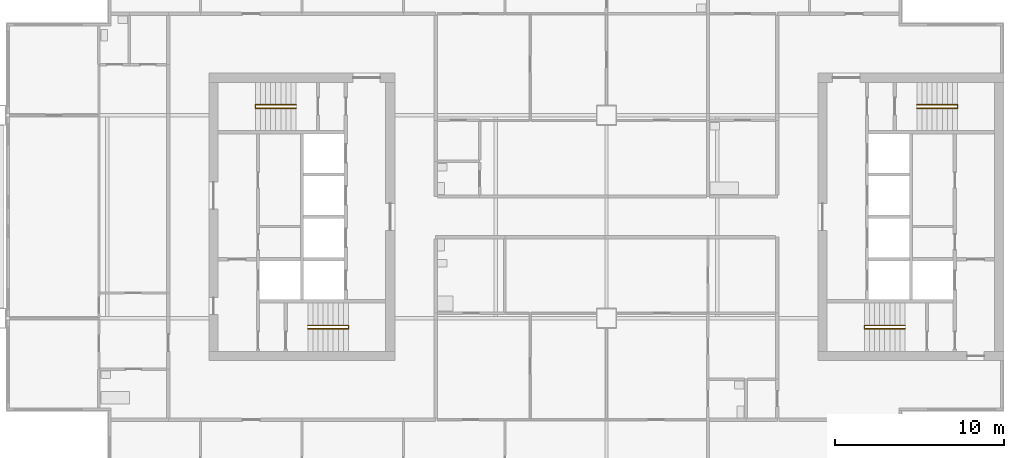
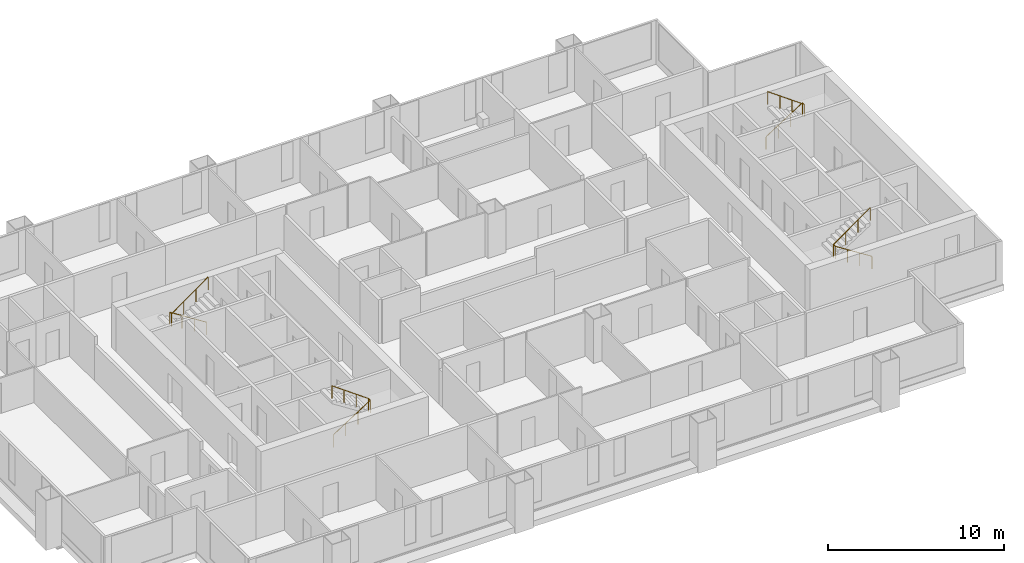
# One storey, part 9 of 10: 4 railings.
"""IFC4 building model written with IfcOpenShell, lengths in metres."""

import ifcopenshell
import ifcopenshell.guid

model = None  # the IFC model being written
_history = None  # IfcOwnerHistory: only IFC2X3 demands one
_inside = {}  # id of a spatial element -> (the spatial element, [elements in it])
_under = {}  # id of a project, library or spatial element -> (it, [spatial elements below it])
_declared = {}  # id of a project -> (the project, [libraries it declares])
_typed = {}  # id of a type object -> (the type object, [elements of that type])
_made_of = {}  # id of a material, layer set ... -> (it, [elements and type objects made of it])


def new_model(schema):
    """Start an empty IFC model of exactly this schema.

    Asked for "IFC4X3", IfcOpenShell would pick the latest addendum, in which some entities
    have other attributes; the version numbers below select the first issue.
    IFC2X3 requires an IfcOwnerHistory on every rooted entity: one is made here for all.
    """
    global model, _history
    if schema == "IFC4X3":
        model = ifcopenshell.file(schema_version=(4, 3, 0, 0))
    else:
        model = ifcopenshell.file(schema=schema)
    _inside.clear()
    _under.clear()
    _declared.clear()
    _typed.clear()
    _made_of.clear()
    _history = None
    if model.schema == "IFC2X3":
        org = make("IfcOrganization", Name="unknown")
        user = make(
            "IfcPersonAndOrganization",
            ThePerson=make("IfcPerson", FamilyName="unknown"),
            TheOrganization=org,
        )
        app = make(
            "IfcApplication",
            ApplicationDeveloper=org,
            Version="unknown",
            ApplicationFullName="unknown",
            ApplicationIdentifier="unknown",
        )
        _history = make(
            "IfcOwnerHistory",
            OwningUser=user,
            OwningApplication=app,
            ChangeAction="ADDED",
            CreationDate=0,
        )
    return model


def make(cls, **values):
    """One entity of the class cls with the attributes given. An attribute that is None is left unset."""
    return model.create_entity(
        cls, **{name: value for name, value in values.items() if value is not None}
    )


def rooted(cls, **values):
    """An entity with a GlobalId (a new one), such as an element, a storey or a relation."""
    return make(cls, GlobalId=ifcopenshell.guid.new(), OwnerHistory=_history, **values)


def si_unit(unit_type, name, prefix=None):
    """IfcSIUnit, for example si_unit("LENGTHUNIT", "METRE", prefix="MILLI")."""
    return make("IfcSIUnit", UnitType=unit_type, Prefix=prefix, Name=name)


def assignment(units):
    """IfcUnitAssignment: the units of a project."""
    return None if units is None else make("IfcUnitAssignment", Units=units)


def point(xyz):
    """IfcCartesianPoint."""
    return None if xyz is None else make("IfcCartesianPoint", Coordinates=xyz)


def direction(xyz):
    """IfcDirection."""
    return None if xyz is None else make("IfcDirection", DirectionRatios=xyz)


def frame(location, z_axis=None, x_axis=None):
    """IfcAxis2Placement3D, a coordinate frame: its origin and axes. An axis left out is left unset."""
    return make(
        "IfcAxis2Placement3D",
        Location=point(location),
        Axis=direction(z_axis),
        RefDirection=direction(x_axis),
    )


def frame_2d(location, x_axis=None):
    """IfcAxis2Placement2D, a coordinate frame in the plane: its origin and x axis."""
    return make(
        "IfcAxis2Placement2D", Location=point(location), RefDirection=direction(x_axis)
    )


def origin():
    """The frame at (0, 0, 0) with its axes left unset."""
    return frame((0.0, 0.0, 0.0))


def origin_2d():
    """The frame at (0, 0) in the plane with its x axis left unset."""
    return frame_2d((0.0, 0.0))


def place(relative_to, where):
    """IfcLocalPlacement: puts the frame where relative to a parent placement (None: the world)."""
    return make(
        "IfcLocalPlacement", PlacementRelTo=relative_to, RelativePlacement=where
    )


def context(
    kind, dimensions, precision=None, world=None, true_north=None, identifier=None
):
    """IfcGeometricRepresentationContext, for example the 3D "Model" context."""
    return make(
        "IfcGeometricRepresentationContext",
        ContextIdentifier=identifier,
        ContextType=kind,
        CoordinateSpaceDimension=dimensions,
        Precision=precision,
        WorldCoordinateSystem=world,
        TrueNorth=true_north,
    )


def subcontext(parent, identifier, kind, view, scale=None):
    """IfcGeometricRepresentationSubContext, for example "Body" below "Model"."""
    return make(
        "IfcGeometricRepresentationSubContext",
        ContextIdentifier=identifier,
        ContextType=kind,
        ParentContext=parent,
        TargetScale=scale,
        TargetView=view,
    )


def project(units=None, contexts=None):
    """IfcProject with its units and contexts."""
    return rooted(
        "IfcProject",
        Name="project",
        RepresentationContexts=contexts,
        UnitsInContext=assignment(units),
    )


def spatial(cls, under=None, at=None, **own):
    """A site, building, storey or space (cls), placed at a placement, below another one or the project."""
    s = rooted(cls, ObjectPlacement=at, **own)
    if under is not None:
        _under.setdefault(under.id(), (under, []))[1].append(s)
    return s


def profile(cls, at=None, kind="AREA", **sizes):
    """A parametric profile (cls). Its sizes go by their IFC names, for example OverallWidth=200.0."""
    return make(cls, ProfileType=kind, Position=at, **sizes)


def circle(**sizes):
    """IfcCircleProfileDef."""
    return profile("IfcCircleProfileDef", **sizes)


def extrude(swept, where, along, depth):
    """IfcExtrudedAreaSolid: the profile swept, set in the frame where, extruded along a direction by depth."""
    return make(
        "IfcExtrudedAreaSolid",
        SweptArea=swept,
        Position=where,
        ExtrudedDirection=direction(along),
        Depth=depth,
    )


def shape(context_of_items, identifier, shape_type, items):
    """IfcShapeRepresentation: the items that make up one representation, for example the "Body"."""
    return make(
        "IfcShapeRepresentation",
        ContextOfItems=context_of_items,
        RepresentationIdentifier=identifier,
        RepresentationType=shape_type,
        Items=items,
    )


def material(Name=None, Category=None):
    """IfcMaterial."""
    return make("IfcMaterial", Name=Name, Category=Category)


def made_of(thing, what):
    """Note that an element or type object is made of a material, layer set ...; save() writes the relation."""
    if what is not None:
        _made_of.setdefault(what.id(), (what, []))[1].append(thing)
    return thing


def type_object(cls, material=None, **own):
    """A type object (cls), such as IfcWallType, which elements share."""
    return made_of(rooted(cls, **own), material)


def element(
    cls,
    number,
    at=None,
    inside=None,
    cuts=None,
    type_object=None,
    material=None,
    context=None,
    identifier="Body",
    shape_type=None,
    held_by="IfcProductDefinitionShape",
    body=None,
    shapes=None,
    **own,
):
    """One element of the class cls, such as IfcWall. Its Tag is "e" and its number.

    at: its placement. inside: the storey or other place that contains it. cuts: it is an
    opening in that element (IfcRelVoidsElement). A single representation is given by context,
    identifier, shape_type and body (its items); several are given by shapes. held_by: the class
    of the entity that holds the representations. save() writes the other relations.
    """
    e = rooted(cls, Tag="e%d" % number, ObjectPlacement=at, **own)
    if body is not None:
        shapes = [shape(context, identifier, shape_type, body)]
    if shapes is not None:
        e.Representation = make(held_by, Representations=shapes)
    if inside is not None:
        _inside.setdefault(inside.id(), (inside, []))[1].append(e)
    if cuts is not None:
        rooted(
            "IfcRelVoidsElement", RelatingBuildingElement=cuts, RelatedOpeningElement=e
        )
    if type_object is not None:
        _typed.setdefault(type_object.id(), (type_object, []))[1].append(e)
    return made_of(e, material)


def aggregate(whole, parts):
    """IfcRelAggregates: a whole, such as a stair, and the parts it consists of."""
    return rooted("IfcRelAggregates", RelatingObject=whole, RelatedObjects=parts)


def save(model, path):
    """Write the relations noted so far, then the file.

    IfcRelAggregates (storeys below a building ...), IfcRelContainedInSpatialStructure (elements
    in a storey), IfcRelDefinesByType, IfcRelAssociatesMaterial and IfcRelDeclares: one each for
    every whole, place, type object, material and project.
    """
    for whole, parts in _under.values():
        aggregate(whole, parts)
    for where, things in _inside.values():
        rooted(
            "IfcRelContainedInSpatialStructure",
            RelatedElements=things,
            RelatingStructure=where,
        )
    for kind, things in _typed.values():
        rooted("IfcRelDefinesByType", RelatedObjects=things, RelatingType=kind)
    for what, things in _made_of.values():
        rooted("IfcRelAssociatesMaterial", RelatedObjects=things, RelatingMaterial=what)
    for by, libraries in _declared.values():
        rooted("IfcRelDeclares", RelatingContext=by, RelatedDefinitions=libraries)
    model.write(path)


model = new_model("IFC4")

# Units and contexts
model_context = context("Model", 3, precision=1e-05, world=origin(), true_north=direction((0.0, 1.0)))
body_context = subcontext(model_context, "Body", "Model", "MODEL_VIEW")
ifc_project = project(units=[si_unit("LENGTHUNIT", "METRE"), si_unit("AREAUNIT", "SQUARE_METRE"), si_unit("VOLUMEUNIT", "CUBIC_METRE"), si_unit("PLANEANGLEUNIT", "RADIAN"), si_unit("MASSUNIT", "GRAM", prefix="KILO")], contexts=[model_context])

# Site, building, storey
site_placement = place(None, origin())
site = spatial("IfcSite", under=ifc_project, at=site_placement, CompositionType="ELEMENT")
building_placement = place(site_placement, origin())
building = spatial("IfcBuilding", under=site, at=building_placement, Name="Kitamizu Gate Tower and Museum", CompositionType="ELEMENT")
storey_placement = place(building_placement, frame((0.0, 0.0, 185.85009765625)))
storey = spatial("IfcBuildingStorey", under=building, at=storey_placement, Name="L49", CompositionType="ELEMENT", Elevation=185.85009765625)

# Railings
ifc_material = material(Name="Stainless steel SUS304", Category="steel")
railing_type = type_object("IfcRailingType", Name="Stair handrail 900", PredefinedType="HANDRAIL", material=ifc_material)
railing_1_placement = place(storey_placement, frame((18.35009765625, 23.375, 0.191650390625)))
element("IfcRailing", 1, at=railing_1_placement, inside=storey, type_object=railing_type, Name="Stair handrail ST1", PredefinedType="HANDRAIL", context=body_context, shape_type="SweptSolid", body=[
    extrude(circle(Radius=0.02392578125, at=origin_2d()), frame((0.0, 0.0, 0.8759765625), z_axis=(0.84270706373, 0.0, 0.538372366248), x_axis=(0.0, 1.0, 0.0)), (0.0, 0.0, 1.0), 2.847900390625),
    extrude(circle(Radius=0.02392578125, at=origin_2d()), frame((2.39990234375, 0.0, 2.4091796875), z_axis=(0.0, 1.0, 0.0), x_axis=(-1.0, 0.0, 0.0)), (0.0, 0.0, 1.0), 0.199951171875),
    extrude(circle(Radius=0.02392578125, at=origin_2d()), frame((2.39990234375, 0.199951171875, 2.4091796875), z_axis=(-0.811988456656, 0.0, 0.583673492852), x_axis=(0.0, -1.0, 0.0)), (0.0, 0.0, 1.0), 2.95556640625),
    extrude(circle(Radius=0.02099609375, at=origin_2d()), origin(), (0.0, 0.0, 1.0), 0.851806640625),
    extrude(circle(Radius=0.02099609375, at=origin_2d()), frame((0.800048828125, 0.0, 0.510986328125)), (0.0, 0.0, 1.0), 0.851806640625),
    extrude(circle(Radius=0.02099609375, at=origin_2d()), frame((1.599853515625, 0.0, 1.022216796875)), (0.0, 0.0, 1.0), 0.851806640625),
    extrude(circle(Radius=0.02099609375, at=origin_2d()), frame((2.39990234375, 0.0, 1.533203125)), (0.0, 0.0, 1.0), 0.851806640625),
    extrude(circle(Radius=0.02099609375, at=origin_2d()), frame((2.39990234375, 0.199951171875, 1.533203125)), (0.0, 0.0, 1.0), 0.851806640625),
    extrude(circle(Radius=0.02099609375, at=origin_2d()), frame((1.599853515625, 0.199951171875, 2.108154296875)), (0.0, 0.0, 1.0), 0.851806640625),
    extrude(circle(Radius=0.02099609375, at=origin_2d()), frame((0.800048828125, 0.199951171875, 2.683349609375)), (0.0, 0.0, 1.0), 0.851806640625),
    extrude(circle(Radius=0.02099609375, at=origin_2d()), frame((0.0, 0.199951171875, 3.25830078125)), (0.0, 0.0, 1.0), 0.851806640625),
])
railing_2_placement = place(storey_placement, frame((17.64990234375, 36.625, 0.191650390625)))
element("IfcRailing", 2, at=railing_2_placement, inside=storey, type_object=railing_type, Name="Stair handrail ST2", PredefinedType="HANDRAIL", context=body_context, shape_type="SweptSolid", body=[
    extrude(circle(Radius=0.02392578125, at=origin_2d()), frame((0.0, 0.0, 0.8759765625), z_axis=(-0.84270706373, 0.0, 0.538372366248), x_axis=(0.0, -1.0, 0.0)), (0.0, 0.0, 1.0), 2.847900390625),
    extrude(circle(Radius=0.02392578125, at=origin_2d()), frame((-2.39990234375, 0.0, 2.4091796875), z_axis=(0.0, -1.0, 0.0), x_axis=(1.0, 0.0, 0.0)), (0.0, 0.0, 1.0), 0.199951171875),
    extrude(circle(Radius=0.02392578125, at=origin_2d()), frame((-2.39990234375, -0.199951171875, 2.4091796875), z_axis=(0.811988456656, 0.0, 0.583673492852), x_axis=(0.0, 1.0, 0.0)), (0.0, 0.0, 1.0), 2.95556640625),
    extrude(circle(Radius=0.02099609375, at=origin_2d()), origin(), (0.0, 0.0, 1.0), 0.851806640625),
    extrude(circle(Radius=0.02099609375, at=origin_2d()), frame((-0.800048828125, 0.0, 0.510986328125)), (0.0, 0.0, 1.0), 0.851806640625),
    extrude(circle(Radius=0.02099609375, at=origin_2d()), frame((-1.599853515625, 0.0, 1.022216796875)), (0.0, 0.0, 1.0), 0.851806640625),
    extrude(circle(Radius=0.02099609375, at=origin_2d()), frame((-2.39990234375, 0.0, 1.533203125)), (0.0, 0.0, 1.0), 0.851806640625),
    extrude(circle(Radius=0.02099609375, at=origin_2d()), frame((-2.39990234375, -0.199951171875, 1.533203125)), (0.0, 0.0, 1.0), 0.851806640625),
    extrude(circle(Radius=0.02099609375, at=origin_2d()), frame((-1.599853515625, -0.199951171875, 2.108154296875)), (0.0, 0.0, 1.0), 0.851806640625),
    extrude(circle(Radius=0.02099609375, at=origin_2d()), frame((-0.800048828125, -0.199951171875, 2.683349609375)), (0.0, 0.0, 1.0), 0.851806640625),
    extrude(circle(Radius=0.02099609375, at=origin_2d()), frame((0.0, -0.199951171875, 3.25830078125)), (0.0, 0.0, 1.0), 0.851806640625),
])
railing_3_placement = place(storey_placement, frame((53.64990234375, 23.375, 0.191650390625)))
element("IfcRailing", 3, at=railing_3_placement, inside=storey, type_object=railing_type, Name="Stair handrail ST3", PredefinedType="HANDRAIL", context=body_context, shape_type="SweptSolid", body=[
    extrude(circle(Radius=0.02392578125, at=origin_2d()), frame((0.0, 0.0, 0.8759765625), z_axis=(-0.84270706373, 0.0, 0.538372366248), x_axis=(0.0, -1.0, 0.0)), (0.0, 0.0, 1.0), 2.847900390625),
    extrude(circle(Radius=0.02392578125, at=origin_2d()), frame((-2.39990234375, 0.0, 2.4091796875), z_axis=(0.0, 1.0, 0.0), x_axis=(-1.0, 0.0, 0.0)), (0.0, 0.0, 1.0), 0.199951171875),
    extrude(circle(Radius=0.02392578125, at=origin_2d()), frame((-2.39990234375, 0.199951171875, 2.4091796875), z_axis=(0.811988456656, 0.0, 0.583673492852), x_axis=(0.0, 1.0, 0.0)), (0.0, 0.0, 1.0), 2.95556640625),
    extrude(circle(Radius=0.02099609375, at=origin_2d()), origin(), (0.0, 0.0, 1.0), 0.851806640625),
    extrude(circle(Radius=0.02099609375, at=origin_2d()), frame((-0.800048828125, 0.0, 0.510986328125)), (0.0, 0.0, 1.0), 0.851806640625),
    extrude(circle(Radius=0.02099609375, at=origin_2d()), frame((-1.599853515625, 0.0, 1.022216796875)), (0.0, 0.0, 1.0), 0.851806640625),
    extrude(circle(Radius=0.02099609375, at=origin_2d()), frame((-2.39990234375, 0.0, 1.533203125)), (0.0, 0.0, 1.0), 0.851806640625),
    extrude(circle(Radius=0.02099609375, at=origin_2d()), frame((-2.39990234375, 0.199951171875, 1.533203125)), (0.0, 0.0, 1.0), 0.851806640625),
    extrude(circle(Radius=0.02099609375, at=origin_2d()), frame((-1.599853515625, 0.199951171875, 2.108154296875)), (0.0, 0.0, 1.0), 0.851806640625),
    extrude(circle(Radius=0.02099609375, at=origin_2d()), frame((-0.800048828125, 0.199951171875, 2.683349609375)), (0.0, 0.0, 1.0), 0.851806640625),
    extrude(circle(Radius=0.02099609375, at=origin_2d()), frame((0.0, 0.199951171875, 3.25830078125)), (0.0, 0.0, 1.0), 0.851806640625),
])
railing_4_placement = place(storey_placement, frame((54.35009765625, 36.625, 0.191650390625)))
element("IfcRailing", 4, at=railing_4_placement, inside=storey, type_object=railing_type, Name="Stair handrail ST4", PredefinedType="HANDRAIL", context=body_context, shape_type="SweptSolid", body=[
    extrude(circle(Radius=0.02392578125, at=origin_2d()), frame((0.0, 0.0, 0.8759765625), z_axis=(0.84270706373, 0.0, 0.538372366248), x_axis=(0.0, 1.0, 0.0)), (0.0, 0.0, 1.0), 2.847900390625),
    extrude(circle(Radius=0.02392578125, at=origin_2d()), frame((2.39990234375, 0.0, 2.4091796875), z_axis=(0.0, -1.0, 0.0), x_axis=(1.0, 0.0, 0.0)), (0.0, 0.0, 1.0), 0.199951171875),
    extrude(circle(Radius=0.02392578125, at=origin_2d()), frame((2.39990234375, -0.199951171875, 2.4091796875), z_axis=(-0.811988456656, 0.0, 0.583673492852), x_axis=(0.0, -1.0, 0.0)), (0.0, 0.0, 1.0), 2.95556640625),
    extrude(circle(Radius=0.02099609375, at=origin_2d()), origin(), (0.0, 0.0, 1.0), 0.851806640625),
    extrude(circle(Radius=0.02099609375, at=origin_2d()), frame((0.800048828125, 0.0, 0.510986328125)), (0.0, 0.0, 1.0), 0.851806640625),
    extrude(circle(Radius=0.02099609375, at=origin_2d()), frame((1.599853515625, 0.0, 1.022216796875)), (0.0, 0.0, 1.0), 0.851806640625),
    extrude(circle(Radius=0.02099609375, at=origin_2d()), frame((2.39990234375, 0.0, 1.533203125)), (0.0, 0.0, 1.0), 0.851806640625),
    extrude(circle(Radius=0.02099609375, at=origin_2d()), frame((2.39990234375, -0.199951171875, 1.533203125)), (0.0, 0.0, 1.0), 0.851806640625),
    extrude(circle(Radius=0.02099609375, at=origin_2d()), frame((1.599853515625, -0.199951171875, 2.108154296875)), (0.0, 0.0, 1.0), 0.851806640625),
    extrude(circle(Radius=0.02099609375, at=origin_2d()), frame((0.800048828125, -0.199951171875, 2.683349609375)), (0.0, 0.0, 1.0), 0.851806640625),
    extrude(circle(Radius=0.02099609375, at=origin_2d()), frame((0.0, -0.199951171875, 3.25830078125)), (0.0, 0.0, 1.0), 0.851806640625),
])

save(model, "model.ifc")
